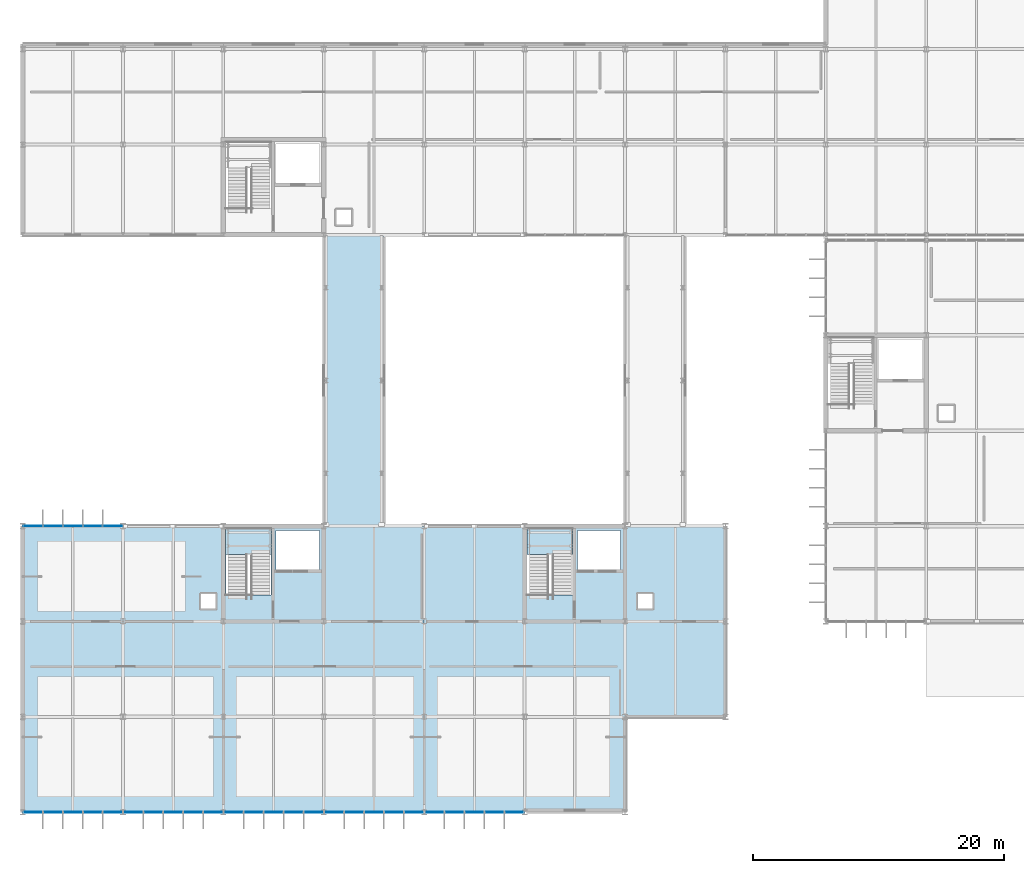
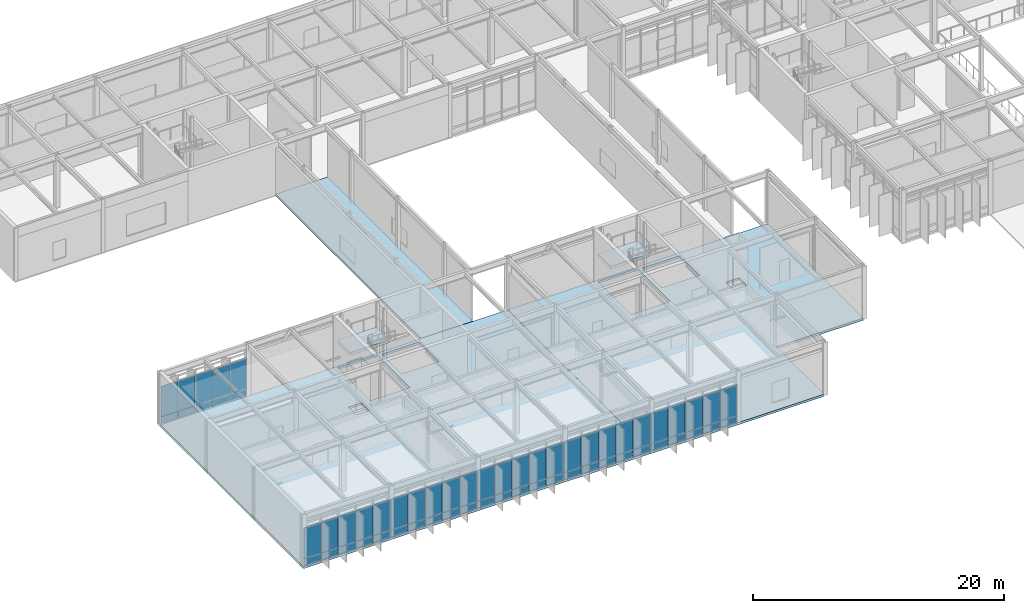
# One storey, part 61 of 94: 60 plates, 5 slabs, 8 elements without a shape of their own.
"""IFC4 building model written with IfcOpenShell, lengths in metres."""

from ifc_helpers import new_model, si_unit, direction, frame, origin, origin_2d, place, context, subcontext, project, spatial, polyline, rectangle, outline, extrude, material, layer, layer_set, type_object, element, aggregate, save


model = new_model("IFC4")

# Units and contexts
model_context = context("Model", 3, precision=1e-05, world=origin(), true_north=direction((0.0, 1.0)))
body_context = subcontext(model_context, "Body", "Model", "MODEL_VIEW")
ifc_project = project(units=[si_unit("LENGTHUNIT", "METRE"), si_unit("AREAUNIT", "SQUARE_METRE"), si_unit("VOLUMEUNIT", "CUBIC_METRE"), si_unit("PLANEANGLEUNIT", "RADIAN"), si_unit("MASSUNIT", "GRAM", prefix="KILO")], contexts=[model_context])

# Site, building, storey
site_placement = place(None, origin())
site = spatial("IfcSite", under=ifc_project, at=site_placement, CompositionType="ELEMENT")
building_placement = place(site_placement, origin())
building = spatial("IfcBuilding", under=site, at=building_placement, Name="Zulena Civic Courthouse", CompositionType="ELEMENT")
storey_placement = place(building_placement, frame((0.0, 0.0, 5.39990234375)))
storey = spatial("IfcBuildingStorey", under=building, at=storey_placement, Name="L01", CompositionType="ELEMENT", Elevation=5.39990234375)

# Slab
ifc_material_1 = material(Name="Concrete C35/45", Category="concrete")
ifc_layer_1 = layer(ifc_material_1, 0.195068359375)
ifc_layer_set_1 = layer_set([ifc_layer_1], Name="Concrete C35/45")
slab_type_1 = type_object("IfcSlabType", Name="BridgeSlab_195", PredefinedType="FLOOR", material=ifc_layer_set_1)
slab_1_placement = place(storey_placement, frame((0.0, 0.0, -0.19482421875)))
element("IfcSlab", 1, at=slab_1_placement, inside=storey, type_object=slab_type_1, Name="slab:bridge:BR-52J:L01", PredefinedType="FLOOR", context=body_context, shape_type="SweptSolid", body=[
    extrude(outline(polyline([(28.0, 22.800048828125), (32.800048828125, 22.800048828125), (32.800048828125, 46.0), (28.0, 46.0), (28.0, 22.800048828125)])), origin(), (0.0, 0.0, 1.0), 0.19482421875),
])

# Curtain wall, plates
ifc_material_2 = material(Name="Double-silver low-E laminated solar-control glass", Category="glass")
curtain_wall_type = type_object("IfcCurtainWallType", Name="CW_7952x4280", PredefinedType="USERDEFINED", material=ifc_material_2)
curtain_wall_1_placement = place(storey_placement, origin())
curtain_wall_1 = element("IfcCurtainWall", 2, at=curtain_wall_1_placement, inside=storey, type_object=curtain_wall_type, Name="cw:V2:L01:1:0", ObjectType="UNITISED CURTAIN WALL", PredefinedType="USERDEFINED")
ifc_material_3 = material(Name="Ceramic-fritted insulated spandrel glass", Category="glass")
ifc_layer_2 = layer(ifc_material_3, 0.0458984375)
ifc_layer_set_2 = layer_set([ifc_layer_2], Name="Ceramic-fritted insulated spandrel glass")
plate_type_1 = type_object("IfcPlateType", Name="CWPanel_Spandrel_46", PredefinedType="CURTAIN_PANEL", material=ifc_layer_set_2)
plate_1_placement = place(storey_placement, frame((4.819091796875, 22.800048828125, 0.070068359375), z_axis=(0.0, 0.0, 1.0), x_axis=(1.0, 0.0, 0.0)))
plate_1 = element("IfcPlate", 3, at=plate_1_placement, type_object=plate_type_1, Name="cw:V2:L01:1:0:panS:0", PredefinedType="CURTAIN_PANEL", context=body_context, shape_type="SweptSolid", body=[
    extrude(rectangle(XDim=1.5400390625, YDim=0.0458984375, at=origin_2d()), origin(), (0.0, 0.0, 1.0), 0.669921875),
])
plate_2_placement = place(storey_placement, frame((6.40966796875, 22.800048828125, 0.070068359375), z_axis=(0.0, 0.0, 1.0), x_axis=(1.0, 0.0, 0.0)))
plate_2 = element("IfcPlate", 4, at=plate_2_placement, type_object=plate_type_1, Name="cw:V2:L01:1:0:panS:1", PredefinedType="CURTAIN_PANEL", context=body_context, shape_type="SweptSolid", body=[
    extrude(rectangle(XDim=1.5400390625, YDim=0.0458984375, at=origin_2d()), origin(), (0.0, 0.0, 1.0), 0.669921875),
])
plate_3_placement = place(storey_placement, frame((8.0, 22.800048828125, 0.070068359375), z_axis=(0.0, 0.0, 1.0), x_axis=(1.0, 0.0, 0.0)))
plate_3 = element("IfcPlate", 5, at=plate_3_placement, type_object=plate_type_1, Name="cw:V2:L01:1:0:panS:2", PredefinedType="CURTAIN_PANEL", context=body_context, shape_type="SweptSolid", body=[
    extrude(rectangle(XDim=1.5400390625, YDim=0.0458984375, at=origin_2d()), origin(), (0.0, 0.0, 1.0), 0.669921875),
])
plate_4_placement = place(storey_placement, frame((9.59033203125, 22.800048828125, 0.070068359375), z_axis=(0.0, 0.0, 1.0), x_axis=(1.0, 0.0, 0.0)))
plate_4 = element("IfcPlate", 6, at=plate_4_placement, type_object=plate_type_1, Name="cw:V2:L01:1:0:panS:3", PredefinedType="CURTAIN_PANEL", context=body_context, shape_type="SweptSolid", body=[
    extrude(rectangle(XDim=1.5400390625, YDim=0.0458984375, at=origin_2d()), origin(), (0.0, 0.0, 1.0), 0.669921875),
])
plate_5_placement = place(storey_placement, frame((11.180908203125, 22.800048828125, 0.070068359375), z_axis=(0.0, 0.0, 1.0), x_axis=(1.0, 0.0, 0.0)))
plate_5 = element("IfcPlate", 7, at=plate_5_placement, type_object=plate_type_1, Name="cw:V2:L01:1:0:panS:4", PredefinedType="CURTAIN_PANEL", context=body_context, shape_type="SweptSolid", body=[
    extrude(rectangle(XDim=1.5400390625, YDim=0.0458984375, at=origin_2d()), origin(), (0.0, 0.0, 1.0), 0.669921875),
])

curtain_wall_2_placement = place(storey_placement, origin())
curtain_wall_2 = element("IfcCurtainWall", 8, at=curtain_wall_2_placement, inside=storey, type_object=curtain_wall_type, Name="cw:V2:L01:5:1", ObjectType="UNITISED CURTAIN WALL", PredefinedType="USERDEFINED")
plate_6_placement = place(storey_placement, frame((43.180908203125, 0.0, 0.070068359375), z_axis=(0.0, 0.0, 1.0), x_axis=(-1.0, 0.0, 0.0)))
plate_6 = element("IfcPlate", 9, at=plate_6_placement, type_object=plate_type_1, Name="cw:V2:L01:5:1:panS:0", PredefinedType="CURTAIN_PANEL", context=body_context, shape_type="SweptSolid", body=[
    extrude(rectangle(XDim=1.5400390625, YDim=0.0458984375, at=origin_2d()), origin(), (0.0, 0.0, 1.0), 0.669921875),
])
plate_7_placement = place(storey_placement, frame((41.59033203125, 0.0, 0.070068359375), z_axis=(0.0, 0.0, 1.0), x_axis=(-1.0, 0.0, 0.0)))
plate_7 = element("IfcPlate", 10, at=plate_7_placement, type_object=plate_type_1, Name="cw:V2:L01:5:1:panS:1", PredefinedType="CURTAIN_PANEL", context=body_context, shape_type="SweptSolid", body=[
    extrude(rectangle(XDim=1.5400390625, YDim=0.0458984375, at=origin_2d()), origin(), (0.0, 0.0, 1.0), 0.669921875),
])
plate_8_placement = place(storey_placement, frame((40.0, 0.0, 0.070068359375), z_axis=(0.0, 0.0, 1.0), x_axis=(-1.0, 0.0, 0.0)))
plate_8 = element("IfcPlate", 11, at=plate_8_placement, type_object=plate_type_1, Name="cw:V2:L01:5:1:panS:2", PredefinedType="CURTAIN_PANEL", context=body_context, shape_type="SweptSolid", body=[
    extrude(rectangle(XDim=1.5400390625, YDim=0.0458984375, at=origin_2d()), origin(), (0.0, 0.0, 1.0), 0.669921875),
])
plate_9_placement = place(storey_placement, frame((38.40966796875, 0.0, 0.070068359375), z_axis=(0.0, 0.0, 1.0), x_axis=(-1.0, 0.0, 0.0)))
plate_9 = element("IfcPlate", 12, at=plate_9_placement, type_object=plate_type_1, Name="cw:V2:L01:5:1:panS:3", PredefinedType="CURTAIN_PANEL", context=body_context, shape_type="SweptSolid", body=[
    extrude(rectangle(XDim=1.5400390625, YDim=0.0458984375, at=origin_2d()), origin(), (0.0, 0.0, 1.0), 0.669921875),
])
plate_10_placement = place(storey_placement, frame((36.819091796875, 0.0, 0.070068359375), z_axis=(0.0, 0.0, 1.0), x_axis=(-1.0, 0.0, 0.0)))
plate_10 = element("IfcPlate", 13, at=plate_10_placement, type_object=plate_type_1, Name="cw:V2:L01:5:1:panS:4", PredefinedType="CURTAIN_PANEL", context=body_context, shape_type="SweptSolid", body=[
    extrude(rectangle(XDim=1.5400390625, YDim=0.0458984375, at=origin_2d()), origin(), (0.0, 0.0, 1.0), 0.669921875),
])

curtain_wall_3_placement = place(storey_placement, origin())
curtain_wall_3 = element("IfcCurtainWall", 14, at=curtain_wall_3_placement, inside=storey, type_object=curtain_wall_type, Name="cw:V2:L01:5:2", ObjectType="UNITISED CURTAIN WALL", PredefinedType="USERDEFINED")
plate_11_placement = place(storey_placement, frame((35.180908203125, 0.0, 0.070068359375), z_axis=(0.0, 0.0, 1.0), x_axis=(-1.0, 0.0, 0.0)))
plate_11 = element("IfcPlate", 15, at=plate_11_placement, type_object=plate_type_1, Name="cw:V2:L01:5:2:panS:0", PredefinedType="CURTAIN_PANEL", context=body_context, shape_type="SweptSolid", body=[
    extrude(rectangle(XDim=1.5400390625, YDim=0.0458984375, at=origin_2d()), origin(), (0.0, 0.0, 1.0), 0.669921875),
])
plate_12_placement = place(storey_placement, frame((33.59033203125, 0.0, 0.070068359375), z_axis=(0.0, 0.0, 1.0), x_axis=(-1.0, 0.0, 0.0)))
plate_12 = element("IfcPlate", 16, at=plate_12_placement, type_object=plate_type_1, Name="cw:V2:L01:5:2:panS:1", PredefinedType="CURTAIN_PANEL", context=body_context, shape_type="SweptSolid", body=[
    extrude(rectangle(XDim=1.5400390625, YDim=0.0458984375, at=origin_2d()), origin(), (0.0, 0.0, 1.0), 0.669921875),
])
plate_13_placement = place(storey_placement, frame((32.0, 0.0, 0.070068359375), z_axis=(0.0, 0.0, 1.0), x_axis=(-1.0, 0.0, 0.0)))
plate_13 = element("IfcPlate", 17, at=plate_13_placement, type_object=plate_type_1, Name="cw:V2:L01:5:2:panS:2", PredefinedType="CURTAIN_PANEL", context=body_context, shape_type="SweptSolid", body=[
    extrude(rectangle(XDim=1.5400390625, YDim=0.0458984375, at=origin_2d()), origin(), (0.0, 0.0, 1.0), 0.669921875),
])
plate_14_placement = place(storey_placement, frame((30.40966796875, 0.0, 0.070068359375), z_axis=(0.0, 0.0, 1.0), x_axis=(-1.0, 0.0, 0.0)))
plate_14 = element("IfcPlate", 18, at=plate_14_placement, type_object=plate_type_1, Name="cw:V2:L01:5:2:panS:3", PredefinedType="CURTAIN_PANEL", context=body_context, shape_type="SweptSolid", body=[
    extrude(rectangle(XDim=1.5400390625, YDim=0.0458984375, at=origin_2d()), origin(), (0.0, 0.0, 1.0), 0.669921875),
])
plate_15_placement = place(storey_placement, frame((28.819091796875, 0.0, 0.070068359375), z_axis=(0.0, 0.0, 1.0), x_axis=(-1.0, 0.0, 0.0)))
plate_15 = element("IfcPlate", 19, at=plate_15_placement, type_object=plate_type_1, Name="cw:V2:L01:5:2:panS:4", PredefinedType="CURTAIN_PANEL", context=body_context, shape_type="SweptSolid", body=[
    extrude(rectangle(XDim=1.5400390625, YDim=0.0458984375, at=origin_2d()), origin(), (0.0, 0.0, 1.0), 0.669921875),
])

curtain_wall_4_placement = place(storey_placement, origin())
curtain_wall_4 = element("IfcCurtainWall", 20, at=curtain_wall_4_placement, inside=storey, type_object=curtain_wall_type, Name="cw:V2:L01:5:3", ObjectType="UNITISED CURTAIN WALL", PredefinedType="USERDEFINED")
plate_16_placement = place(storey_placement, frame((27.180908203125, 0.0, 0.070068359375), z_axis=(0.0, 0.0, 1.0), x_axis=(-1.0, 0.0, 0.0)))
plate_16 = element("IfcPlate", 21, at=plate_16_placement, type_object=plate_type_1, Name="cw:V2:L01:5:3:panS:0", PredefinedType="CURTAIN_PANEL", context=body_context, shape_type="SweptSolid", body=[
    extrude(rectangle(XDim=1.5400390625, YDim=0.0458984375, at=origin_2d()), origin(), (0.0, 0.0, 1.0), 0.669921875),
])
plate_17_placement = place(storey_placement, frame((25.59033203125, 0.0, 0.070068359375), z_axis=(0.0, 0.0, 1.0), x_axis=(-1.0, 0.0, 0.0)))
plate_17 = element("IfcPlate", 22, at=plate_17_placement, type_object=plate_type_1, Name="cw:V2:L01:5:3:panS:1", PredefinedType="CURTAIN_PANEL", context=body_context, shape_type="SweptSolid", body=[
    extrude(rectangle(XDim=1.5400390625, YDim=0.0458984375, at=origin_2d()), origin(), (0.0, 0.0, 1.0), 0.669921875),
])
plate_18_placement = place(storey_placement, frame((24.0, 0.0, 0.070068359375), z_axis=(0.0, 0.0, 1.0), x_axis=(-1.0, 0.0, 0.0)))
plate_18 = element("IfcPlate", 23, at=plate_18_placement, type_object=plate_type_1, Name="cw:V2:L01:5:3:panS:2", PredefinedType="CURTAIN_PANEL", context=body_context, shape_type="SweptSolid", body=[
    extrude(rectangle(XDim=1.5400390625, YDim=0.0458984375, at=origin_2d()), origin(), (0.0, 0.0, 1.0), 0.669921875),
])
plate_19_placement = place(storey_placement, frame((22.40966796875, 0.0, 0.070068359375), z_axis=(0.0, 0.0, 1.0), x_axis=(-1.0, 0.0, 0.0)))
plate_19 = element("IfcPlate", 24, at=plate_19_placement, type_object=plate_type_1, Name="cw:V2:L01:5:3:panS:3", PredefinedType="CURTAIN_PANEL", context=body_context, shape_type="SweptSolid", body=[
    extrude(rectangle(XDim=1.5400390625, YDim=0.0458984375, at=origin_2d()), origin(), (0.0, 0.0, 1.0), 0.669921875),
])
plate_20_placement = place(storey_placement, frame((20.819091796875, 0.0, 0.070068359375), z_axis=(0.0, 0.0, 1.0), x_axis=(-1.0, 0.0, 0.0)))
plate_20 = element("IfcPlate", 25, at=plate_20_placement, type_object=plate_type_1, Name="cw:V2:L01:5:3:panS:4", PredefinedType="CURTAIN_PANEL", context=body_context, shape_type="SweptSolid", body=[
    extrude(rectangle(XDim=1.5400390625, YDim=0.0458984375, at=origin_2d()), origin(), (0.0, 0.0, 1.0), 0.669921875),
])

curtain_wall_5_placement = place(storey_placement, origin())
curtain_wall_5 = element("IfcCurtainWall", 26, at=curtain_wall_5_placement, inside=storey, type_object=curtain_wall_type, Name="cw:V2:L01:5:4", ObjectType="UNITISED CURTAIN WALL", PredefinedType="USERDEFINED")
plate_21_placement = place(storey_placement, frame((19.180908203125, 0.0, 0.070068359375), z_axis=(0.0, 0.0, 1.0), x_axis=(-1.0, 0.0, 0.0)))
plate_21 = element("IfcPlate", 27, at=plate_21_placement, type_object=plate_type_1, Name="cw:V2:L01:5:4:panS:0", PredefinedType="CURTAIN_PANEL", context=body_context, shape_type="SweptSolid", body=[
    extrude(rectangle(XDim=1.5400390625, YDim=0.0458984375, at=origin_2d()), origin(), (0.0, 0.0, 1.0), 0.669921875),
])
plate_22_placement = place(storey_placement, frame((17.59033203125, 0.0, 0.070068359375), z_axis=(0.0, 0.0, 1.0), x_axis=(-1.0, 0.0, 0.0)))
plate_22 = element("IfcPlate", 28, at=plate_22_placement, type_object=plate_type_1, Name="cw:V2:L01:5:4:panS:1", PredefinedType="CURTAIN_PANEL", context=body_context, shape_type="SweptSolid", body=[
    extrude(rectangle(XDim=1.5400390625, YDim=0.0458984375, at=origin_2d()), origin(), (0.0, 0.0, 1.0), 0.669921875),
])
plate_23_placement = place(storey_placement, frame((16.0, 0.0, 0.070068359375), z_axis=(0.0, 0.0, 1.0), x_axis=(-1.0, 0.0, 0.0)))
plate_23 = element("IfcPlate", 29, at=plate_23_placement, type_object=plate_type_1, Name="cw:V2:L01:5:4:panS:2", PredefinedType="CURTAIN_PANEL", context=body_context, shape_type="SweptSolid", body=[
    extrude(rectangle(XDim=1.5400390625, YDim=0.0458984375, at=origin_2d()), origin(), (0.0, 0.0, 1.0), 0.669921875),
])
plate_24_placement = place(storey_placement, frame((14.40966796875, 0.0, 0.070068359375), z_axis=(0.0, 0.0, 1.0), x_axis=(-1.0, 0.0, 0.0)))
plate_24 = element("IfcPlate", 30, at=plate_24_placement, type_object=plate_type_1, Name="cw:V2:L01:5:4:panS:3", PredefinedType="CURTAIN_PANEL", context=body_context, shape_type="SweptSolid", body=[
    extrude(rectangle(XDim=1.5400390625, YDim=0.0458984375, at=origin_2d()), origin(), (0.0, 0.0, 1.0), 0.669921875),
])
plate_25_placement = place(storey_placement, frame((12.819091796875, 0.0, 0.070068359375), z_axis=(0.0, 0.0, 1.0), x_axis=(-1.0, 0.0, 0.0)))
plate_25 = element("IfcPlate", 31, at=plate_25_placement, type_object=plate_type_1, Name="cw:V2:L01:5:4:panS:4", PredefinedType="CURTAIN_PANEL", context=body_context, shape_type="SweptSolid", body=[
    extrude(rectangle(XDim=1.5400390625, YDim=0.0458984375, at=origin_2d()), origin(), (0.0, 0.0, 1.0), 0.669921875),
])

curtain_wall_6_placement = place(storey_placement, origin())
curtain_wall_6 = element("IfcCurtainWall", 32, at=curtain_wall_6_placement, inside=storey, type_object=curtain_wall_type, Name="cw:V2:L01:5:5", ObjectType="UNITISED CURTAIN WALL", PredefinedType="USERDEFINED")
plate_26_placement = place(storey_placement, frame((11.180908203125, 0.0, 0.070068359375), z_axis=(0.0, 0.0, 1.0), x_axis=(-1.0, 0.0, 0.0)))
plate_26 = element("IfcPlate", 33, at=plate_26_placement, type_object=plate_type_1, Name="cw:V2:L01:5:5:panS:0", PredefinedType="CURTAIN_PANEL", context=body_context, shape_type="SweptSolid", body=[
    extrude(rectangle(XDim=1.5400390625, YDim=0.0458984375, at=origin_2d()), origin(), (0.0, 0.0, 1.0), 0.669921875),
])
plate_27_placement = place(storey_placement, frame((9.59033203125, 0.0, 0.070068359375), z_axis=(0.0, 0.0, 1.0), x_axis=(-1.0, 0.0, 0.0)))
plate_27 = element("IfcPlate", 34, at=plate_27_placement, type_object=plate_type_1, Name="cw:V2:L01:5:5:panS:1", PredefinedType="CURTAIN_PANEL", context=body_context, shape_type="SweptSolid", body=[
    extrude(rectangle(XDim=1.5400390625, YDim=0.0458984375, at=origin_2d()), origin(), (0.0, 0.0, 1.0), 0.669921875),
])
plate_28_placement = place(storey_placement, frame((8.0, 0.0, 0.070068359375), z_axis=(0.0, 0.0, 1.0), x_axis=(-1.0, 0.0, 0.0)))
plate_28 = element("IfcPlate", 35, at=plate_28_placement, type_object=plate_type_1, Name="cw:V2:L01:5:5:panS:2", PredefinedType="CURTAIN_PANEL", context=body_context, shape_type="SweptSolid", body=[
    extrude(rectangle(XDim=1.5400390625, YDim=0.0458984375, at=origin_2d()), origin(), (0.0, 0.0, 1.0), 0.669921875),
])
plate_29_placement = place(storey_placement, frame((6.40966796875, 0.0, 0.070068359375), z_axis=(0.0, 0.0, 1.0), x_axis=(-1.0, 0.0, 0.0)))
plate_29 = element("IfcPlate", 36, at=plate_29_placement, type_object=plate_type_1, Name="cw:V2:L01:5:5:panS:3", PredefinedType="CURTAIN_PANEL", context=body_context, shape_type="SweptSolid", body=[
    extrude(rectangle(XDim=1.5400390625, YDim=0.0458984375, at=origin_2d()), origin(), (0.0, 0.0, 1.0), 0.669921875),
])
plate_30_placement = place(storey_placement, frame((4.819091796875, 0.0, 0.070068359375), z_axis=(0.0, 0.0, 1.0), x_axis=(-1.0, 0.0, 0.0)))
plate_30 = element("IfcPlate", 37, at=plate_30_placement, type_object=plate_type_1, Name="cw:V2:L01:5:5:panS:4", PredefinedType="CURTAIN_PANEL", context=body_context, shape_type="SweptSolid", body=[
    extrude(rectangle(XDim=1.5400390625, YDim=0.0458984375, at=origin_2d()), origin(), (0.0, 0.0, 1.0), 0.669921875),
])

# Plate
ifc_layer_3 = layer(ifc_material_2, 0.035888671875)
ifc_layer_set_3 = layer_set([ifc_layer_3], Name="Double-silver low-E laminated solar-control glass")
plate_type_2 = type_object("IfcPlateType", Name="CWPanel_Vision_36", PredefinedType="CURTAIN_PANEL", material=ifc_layer_set_3)
plate_31_placement = place(storey_placement, frame((4.819091796875, 22.800048828125, 0.760009765625), z_axis=(0.0, 0.0, 1.0), x_axis=(1.0, 0.0, 0.0)))
plate_31 = element("IfcPlate", 38, at=plate_31_placement, type_object=plate_type_2, Name="cw:V2:L01:1:0:panV:0", PredefinedType="CURTAIN_PANEL", context=body_context, shape_type="SweptSolid", body=[
    extrude(rectangle(XDim=1.5400390625, YDim=0.035888671875, at=origin_2d()), origin(), (0.0, 0.0, 1.0), 2.9599609375),
])

plate_32_placement = place(storey_placement, frame((6.40966796875, 22.800048828125, 0.760009765625), z_axis=(0.0, 0.0, 1.0), x_axis=(1.0, 0.0, 0.0)))
plate_32 = element("IfcPlate", 39, at=plate_32_placement, type_object=plate_type_2, Name="cw:V2:L01:1:0:panV:1", PredefinedType="CURTAIN_PANEL", context=body_context, shape_type="SweptSolid", body=[
    extrude(rectangle(XDim=1.5400390625, YDim=0.035888671875, at=origin_2d()), origin(), (0.0, 0.0, 1.0), 2.9599609375),
])

plate_33_placement = place(storey_placement, frame((8.0, 22.800048828125, 0.760009765625), z_axis=(0.0, 0.0, 1.0), x_axis=(1.0, 0.0, 0.0)))
plate_33 = element("IfcPlate", 40, at=plate_33_placement, type_object=plate_type_2, Name="cw:V2:L01:1:0:panV:2", PredefinedType="CURTAIN_PANEL", context=body_context, shape_type="SweptSolid", body=[
    extrude(rectangle(XDim=1.5400390625, YDim=0.035888671875, at=origin_2d()), origin(), (0.0, 0.0, 1.0), 2.9599609375),
])

plate_34_placement = place(storey_placement, frame((9.59033203125, 22.800048828125, 0.760009765625), z_axis=(0.0, 0.0, 1.0), x_axis=(1.0, 0.0, 0.0)))
plate_34 = element("IfcPlate", 41, at=plate_34_placement, type_object=plate_type_2, Name="cw:V2:L01:1:0:panV:3", PredefinedType="CURTAIN_PANEL", context=body_context, shape_type="SweptSolid", body=[
    extrude(rectangle(XDim=1.5400390625, YDim=0.035888671875, at=origin_2d()), origin(), (0.0, 0.0, 1.0), 2.9599609375),
])

plate_35_placement = place(storey_placement, frame((11.180908203125, 22.800048828125, 0.760009765625), z_axis=(0.0, 0.0, 1.0), x_axis=(1.0, 0.0, 0.0)))
plate_35 = element("IfcPlate", 42, at=plate_35_placement, type_object=plate_type_2, Name="cw:V2:L01:1:0:panV:4", PredefinedType="CURTAIN_PANEL", context=body_context, shape_type="SweptSolid", body=[
    extrude(rectangle(XDim=1.5400390625, YDim=0.035888671875, at=origin_2d()), origin(), (0.0, 0.0, 1.0), 2.9599609375),
])

aggregate(curtain_wall_1, [plate_31, plate_1, plate_32, plate_2, plate_33, plate_3, plate_34, plate_4, plate_35, plate_5])

plate_36_placement = place(storey_placement, frame((43.180908203125, 0.0, 0.760009765625), z_axis=(0.0, 0.0, 1.0), x_axis=(-1.0, 0.0, 0.0)))
plate_36 = element("IfcPlate", 43, at=plate_36_placement, type_object=plate_type_2, Name="cw:V2:L01:5:1:panV:0", PredefinedType="CURTAIN_PANEL", context=body_context, shape_type="SweptSolid", body=[
    extrude(rectangle(XDim=1.5400390625, YDim=0.035888671875, at=origin_2d()), origin(), (0.0, 0.0, 1.0), 2.9599609375),
])

plate_37_placement = place(storey_placement, frame((41.59033203125, 0.0, 0.760009765625), z_axis=(0.0, 0.0, 1.0), x_axis=(-1.0, 0.0, 0.0)))
plate_37 = element("IfcPlate", 44, at=plate_37_placement, type_object=plate_type_2, Name="cw:V2:L01:5:1:panV:1", PredefinedType="CURTAIN_PANEL", context=body_context, shape_type="SweptSolid", body=[
    extrude(rectangle(XDim=1.5400390625, YDim=0.035888671875, at=origin_2d()), origin(), (0.0, 0.0, 1.0), 2.9599609375),
])

plate_38_placement = place(storey_placement, frame((40.0, 0.0, 0.760009765625), z_axis=(0.0, 0.0, 1.0), x_axis=(-1.0, 0.0, 0.0)))
plate_38 = element("IfcPlate", 45, at=plate_38_placement, type_object=plate_type_2, Name="cw:V2:L01:5:1:panV:2", PredefinedType="CURTAIN_PANEL", context=body_context, shape_type="SweptSolid", body=[
    extrude(rectangle(XDim=1.5400390625, YDim=0.035888671875, at=origin_2d()), origin(), (0.0, 0.0, 1.0), 2.9599609375),
])

plate_39_placement = place(storey_placement, frame((38.40966796875, 0.0, 0.760009765625), z_axis=(0.0, 0.0, 1.0), x_axis=(-1.0, 0.0, 0.0)))
plate_39 = element("IfcPlate", 46, at=plate_39_placement, type_object=plate_type_2, Name="cw:V2:L01:5:1:panV:3", PredefinedType="CURTAIN_PANEL", context=body_context, shape_type="SweptSolid", body=[
    extrude(rectangle(XDim=1.5400390625, YDim=0.035888671875, at=origin_2d()), origin(), (0.0, 0.0, 1.0), 2.9599609375),
])

plate_40_placement = place(storey_placement, frame((36.819091796875, 0.0, 0.760009765625), z_axis=(0.0, 0.0, 1.0), x_axis=(-1.0, 0.0, 0.0)))
plate_40 = element("IfcPlate", 47, at=plate_40_placement, type_object=plate_type_2, Name="cw:V2:L01:5:1:panV:4", PredefinedType="CURTAIN_PANEL", context=body_context, shape_type="SweptSolid", body=[
    extrude(rectangle(XDim=1.5400390625, YDim=0.035888671875, at=origin_2d()), origin(), (0.0, 0.0, 1.0), 2.9599609375),
])

aggregate(curtain_wall_2, [plate_36, plate_6, plate_37, plate_7, plate_38, plate_8, plate_39, plate_9, plate_40, plate_10])

plate_41_placement = place(storey_placement, frame((35.180908203125, 0.0, 0.760009765625), z_axis=(0.0, 0.0, 1.0), x_axis=(-1.0, 0.0, 0.0)))
plate_41 = element("IfcPlate", 48, at=plate_41_placement, type_object=plate_type_2, Name="cw:V2:L01:5:2:panV:0", PredefinedType="CURTAIN_PANEL", context=body_context, shape_type="SweptSolid", body=[
    extrude(rectangle(XDim=1.5400390625, YDim=0.035888671875, at=origin_2d()), origin(), (0.0, 0.0, 1.0), 2.9599609375),
])

plate_42_placement = place(storey_placement, frame((33.59033203125, 0.0, 0.760009765625), z_axis=(0.0, 0.0, 1.0), x_axis=(-1.0, 0.0, 0.0)))
plate_42 = element("IfcPlate", 49, at=plate_42_placement, type_object=plate_type_2, Name="cw:V2:L01:5:2:panV:1", PredefinedType="CURTAIN_PANEL", context=body_context, shape_type="SweptSolid", body=[
    extrude(rectangle(XDim=1.5400390625, YDim=0.035888671875, at=origin_2d()), origin(), (0.0, 0.0, 1.0), 2.9599609375),
])

plate_43_placement = place(storey_placement, frame((32.0, 0.0, 0.760009765625), z_axis=(0.0, 0.0, 1.0), x_axis=(-1.0, 0.0, 0.0)))
plate_43 = element("IfcPlate", 50, at=plate_43_placement, type_object=plate_type_2, Name="cw:V2:L01:5:2:panV:2", PredefinedType="CURTAIN_PANEL", context=body_context, shape_type="SweptSolid", body=[
    extrude(rectangle(XDim=1.5400390625, YDim=0.035888671875, at=origin_2d()), origin(), (0.0, 0.0, 1.0), 2.9599609375),
])

plate_44_placement = place(storey_placement, frame((30.40966796875, 0.0, 0.760009765625), z_axis=(0.0, 0.0, 1.0), x_axis=(-1.0, 0.0, 0.0)))
plate_44 = element("IfcPlate", 51, at=plate_44_placement, type_object=plate_type_2, Name="cw:V2:L01:5:2:panV:3", PredefinedType="CURTAIN_PANEL", context=body_context, shape_type="SweptSolid", body=[
    extrude(rectangle(XDim=1.5400390625, YDim=0.035888671875, at=origin_2d()), origin(), (0.0, 0.0, 1.0), 2.9599609375),
])

plate_45_placement = place(storey_placement, frame((28.819091796875, 0.0, 0.760009765625), z_axis=(0.0, 0.0, 1.0), x_axis=(-1.0, 0.0, 0.0)))
plate_45 = element("IfcPlate", 52, at=plate_45_placement, type_object=plate_type_2, Name="cw:V2:L01:5:2:panV:4", PredefinedType="CURTAIN_PANEL", context=body_context, shape_type="SweptSolid", body=[
    extrude(rectangle(XDim=1.5400390625, YDim=0.035888671875, at=origin_2d()), origin(), (0.0, 0.0, 1.0), 2.9599609375),
])

aggregate(curtain_wall_3, [plate_41, plate_11, plate_42, plate_12, plate_43, plate_13, plate_44, plate_14, plate_45, plate_15])

plate_46_placement = place(storey_placement, frame((27.180908203125, 0.0, 0.760009765625), z_axis=(0.0, 0.0, 1.0), x_axis=(-1.0, 0.0, 0.0)))
plate_46 = element("IfcPlate", 53, at=plate_46_placement, type_object=plate_type_2, Name="cw:V2:L01:5:3:panV:0", PredefinedType="CURTAIN_PANEL", context=body_context, shape_type="SweptSolid", body=[
    extrude(rectangle(XDim=1.5400390625, YDim=0.035888671875, at=origin_2d()), origin(), (0.0, 0.0, 1.0), 2.9599609375),
])

plate_47_placement = place(storey_placement, frame((25.59033203125, 0.0, 0.760009765625), z_axis=(0.0, 0.0, 1.0), x_axis=(-1.0, 0.0, 0.0)))
plate_47 = element("IfcPlate", 54, at=plate_47_placement, type_object=plate_type_2, Name="cw:V2:L01:5:3:panV:1", PredefinedType="CURTAIN_PANEL", context=body_context, shape_type="SweptSolid", body=[
    extrude(rectangle(XDim=1.5400390625, YDim=0.035888671875, at=origin_2d()), origin(), (0.0, 0.0, 1.0), 2.9599609375),
])

plate_48_placement = place(storey_placement, frame((24.0, 0.0, 0.760009765625), z_axis=(0.0, 0.0, 1.0), x_axis=(-1.0, 0.0, 0.0)))
plate_48 = element("IfcPlate", 55, at=plate_48_placement, type_object=plate_type_2, Name="cw:V2:L01:5:3:panV:2", PredefinedType="CURTAIN_PANEL", context=body_context, shape_type="SweptSolid", body=[
    extrude(rectangle(XDim=1.5400390625, YDim=0.035888671875, at=origin_2d()), origin(), (0.0, 0.0, 1.0), 2.9599609375),
])

plate_49_placement = place(storey_placement, frame((22.40966796875, 0.0, 0.760009765625), z_axis=(0.0, 0.0, 1.0), x_axis=(-1.0, 0.0, 0.0)))
plate_49 = element("IfcPlate", 56, at=plate_49_placement, type_object=plate_type_2, Name="cw:V2:L01:5:3:panV:3", PredefinedType="CURTAIN_PANEL", context=body_context, shape_type="SweptSolid", body=[
    extrude(rectangle(XDim=1.5400390625, YDim=0.035888671875, at=origin_2d()), origin(), (0.0, 0.0, 1.0), 2.9599609375),
])

plate_50_placement = place(storey_placement, frame((20.819091796875, 0.0, 0.760009765625), z_axis=(0.0, 0.0, 1.0), x_axis=(-1.0, 0.0, 0.0)))
plate_50 = element("IfcPlate", 57, at=plate_50_placement, type_object=plate_type_2, Name="cw:V2:L01:5:3:panV:4", PredefinedType="CURTAIN_PANEL", context=body_context, shape_type="SweptSolid", body=[
    extrude(rectangle(XDim=1.5400390625, YDim=0.035888671875, at=origin_2d()), origin(), (0.0, 0.0, 1.0), 2.9599609375),
])

aggregate(curtain_wall_4, [plate_46, plate_16, plate_47, plate_17, plate_48, plate_18, plate_49, plate_19, plate_50, plate_20])

plate_51_placement = place(storey_placement, frame((19.180908203125, 0.0, 0.760009765625), z_axis=(0.0, 0.0, 1.0), x_axis=(-1.0, 0.0, 0.0)))
plate_51 = element("IfcPlate", 58, at=plate_51_placement, type_object=plate_type_2, Name="cw:V2:L01:5:4:panV:0", PredefinedType="CURTAIN_PANEL", context=body_context, shape_type="SweptSolid", body=[
    extrude(rectangle(XDim=1.5400390625, YDim=0.035888671875, at=origin_2d()), origin(), (0.0, 0.0, 1.0), 2.9599609375),
])

plate_52_placement = place(storey_placement, frame((17.59033203125, 0.0, 0.760009765625), z_axis=(0.0, 0.0, 1.0), x_axis=(-1.0, 0.0, 0.0)))
plate_52 = element("IfcPlate", 59, at=plate_52_placement, type_object=plate_type_2, Name="cw:V2:L01:5:4:panV:1", PredefinedType="CURTAIN_PANEL", context=body_context, shape_type="SweptSolid", body=[
    extrude(rectangle(XDim=1.5400390625, YDim=0.035888671875, at=origin_2d()), origin(), (0.0, 0.0, 1.0), 2.9599609375),
])

plate_53_placement = place(storey_placement, frame((16.0, 0.0, 0.760009765625), z_axis=(0.0, 0.0, 1.0), x_axis=(-1.0, 0.0, 0.0)))
plate_53 = element("IfcPlate", 60, at=plate_53_placement, type_object=plate_type_2, Name="cw:V2:L01:5:4:panV:2", PredefinedType="CURTAIN_PANEL", context=body_context, shape_type="SweptSolid", body=[
    extrude(rectangle(XDim=1.5400390625, YDim=0.035888671875, at=origin_2d()), origin(), (0.0, 0.0, 1.0), 2.9599609375),
])

plate_54_placement = place(storey_placement, frame((14.40966796875, 0.0, 0.760009765625), z_axis=(0.0, 0.0, 1.0), x_axis=(-1.0, 0.0, 0.0)))
plate_54 = element("IfcPlate", 61, at=plate_54_placement, type_object=plate_type_2, Name="cw:V2:L01:5:4:panV:3", PredefinedType="CURTAIN_PANEL", context=body_context, shape_type="SweptSolid", body=[
    extrude(rectangle(XDim=1.5400390625, YDim=0.035888671875, at=origin_2d()), origin(), (0.0, 0.0, 1.0), 2.9599609375),
])

plate_55_placement = place(storey_placement, frame((12.819091796875, 0.0, 0.760009765625), z_axis=(0.0, 0.0, 1.0), x_axis=(-1.0, 0.0, 0.0)))
plate_55 = element("IfcPlate", 62, at=plate_55_placement, type_object=plate_type_2, Name="cw:V2:L01:5:4:panV:4", PredefinedType="CURTAIN_PANEL", context=body_context, shape_type="SweptSolid", body=[
    extrude(rectangle(XDim=1.5400390625, YDim=0.035888671875, at=origin_2d()), origin(), (0.0, 0.0, 1.0), 2.9599609375),
])

aggregate(curtain_wall_5, [plate_51, plate_21, plate_52, plate_22, plate_53, plate_23, plate_54, plate_24, plate_55, plate_25])

plate_56_placement = place(storey_placement, frame((11.180908203125, 0.0, 0.760009765625), z_axis=(0.0, 0.0, 1.0), x_axis=(-1.0, 0.0, 0.0)))
plate_56 = element("IfcPlate", 63, at=plate_56_placement, type_object=plate_type_2, Name="cw:V2:L01:5:5:panV:0", PredefinedType="CURTAIN_PANEL", context=body_context, shape_type="SweptSolid", body=[
    extrude(rectangle(XDim=1.5400390625, YDim=0.035888671875, at=origin_2d()), origin(), (0.0, 0.0, 1.0), 2.9599609375),
])

plate_57_placement = place(storey_placement, frame((9.59033203125, 0.0, 0.760009765625), z_axis=(0.0, 0.0, 1.0), x_axis=(-1.0, 0.0, 0.0)))
plate_57 = element("IfcPlate", 64, at=plate_57_placement, type_object=plate_type_2, Name="cw:V2:L01:5:5:panV:1", PredefinedType="CURTAIN_PANEL", context=body_context, shape_type="SweptSolid", body=[
    extrude(rectangle(XDim=1.5400390625, YDim=0.035888671875, at=origin_2d()), origin(), (0.0, 0.0, 1.0), 2.9599609375),
])

plate_58_placement = place(storey_placement, frame((8.0, 0.0, 0.760009765625), z_axis=(0.0, 0.0, 1.0), x_axis=(-1.0, 0.0, 0.0)))
plate_58 = element("IfcPlate", 65, at=plate_58_placement, type_object=plate_type_2, Name="cw:V2:L01:5:5:panV:2", PredefinedType="CURTAIN_PANEL", context=body_context, shape_type="SweptSolid", body=[
    extrude(rectangle(XDim=1.5400390625, YDim=0.035888671875, at=origin_2d()), origin(), (0.0, 0.0, 1.0), 2.9599609375),
])

plate_59_placement = place(storey_placement, frame((6.40966796875, 0.0, 0.760009765625), z_axis=(0.0, 0.0, 1.0), x_axis=(-1.0, 0.0, 0.0)))
plate_59 = element("IfcPlate", 66, at=plate_59_placement, type_object=plate_type_2, Name="cw:V2:L01:5:5:panV:3", PredefinedType="CURTAIN_PANEL", context=body_context, shape_type="SweptSolid", body=[
    extrude(rectangle(XDim=1.5400390625, YDim=0.035888671875, at=origin_2d()), origin(), (0.0, 0.0, 1.0), 2.9599609375),
])

plate_60_placement = place(storey_placement, frame((4.819091796875, 0.0, 0.760009765625), z_axis=(0.0, 0.0, 1.0), x_axis=(-1.0, 0.0, 0.0)))
plate_60 = element("IfcPlate", 67, at=plate_60_placement, type_object=plate_type_2, Name="cw:V2:L01:5:5:panV:4", PredefinedType="CURTAIN_PANEL", context=body_context, shape_type="SweptSolid", body=[
    extrude(rectangle(XDim=1.5400390625, YDim=0.035888671875, at=origin_2d()), origin(), (0.0, 0.0, 1.0), 2.9599609375),
])

aggregate(curtain_wall_6, [plate_56, plate_26, plate_57, plate_27, plate_58, plate_28, plate_59, plate_29, plate_60, plate_30])

# Slabs
ifc_layer_4 = layer(ifc_material_1, 0.215087890625)
ifc_layer_set_4 = layer_set([ifc_layer_4], Name="Concrete C35/45")
slab_type_2 = type_object("IfcSlabType", Name="FloorSlab_215", PredefinedType="FLOOR", material=ifc_layer_set_4)
slab_2_placement = place(storey_placement, frame((0.0, 0.0, -0.21484375)))
element("IfcSlab", 68, at=slab_2_placement, inside=storey, type_object=slab_type_2, Name="slab:V2:L01_1", PredefinedType="FLOOR", context=body_context, shape_type="SweptSolid", body=[
    extrude(outline(polyline([(4.0, 22.800048828125), (36.0, 22.800048828125), (36.0, 0.0), (4.0, 0.0), (4.0, 22.800048828125)]), holes=[polyline([(20.18994140625, 22.610107421875), (20.18994140625, 17.320068359375), (23.81005859375, 17.320068359375), (23.81005859375, 22.610107421875), (20.18994140625, 22.610107421875)]), polyline([(27.64990234375, 22.449951171875), (24.199951171875, 22.449951171875), (24.199951171875, 19.300048828125), (27.64990234375, 19.300048828125), (27.64990234375, 22.449951171875)]), polyline([(18.199951171875, 17.39990234375), (18.199951171875, 16.199951171875), (19.39990234375, 16.199951171875), (19.39990234375, 17.39990234375), (18.199951171875, 17.39990234375)])]), origin(), (0.0, 0.0, 1.0), 0.21484375),
])
slab_3_placement = place(storey_placement, frame((0.0, 0.0, -0.21484375)))
element("IfcSlab", 69, at=slab_3_placement, inside=storey, type_object=slab_type_2, Name="slab:V2:L01_2", PredefinedType="FLOOR", context=body_context, shape_type="SweptSolid", body=[
    extrude(outline(polyline([(60.0, 22.800048828125), (60.0, 7.60009765625), (52.0, 7.60009765625), (52.0, 0.0), (36.0, 0.0), (36.0, 22.800048828125), (60.0, 22.800048828125)]), holes=[polyline([(47.81005859375, 17.320068359375), (47.81005859375, 22.610107421875), (44.18994140625, 22.610107421875), (44.18994140625, 17.320068359375), (47.81005859375, 17.320068359375)]), polyline([(48.199951171875, 19.300048828125), (51.64990234375, 19.300048828125), (51.64990234375, 22.449951171875), (48.199951171875, 22.449951171875), (48.199951171875, 19.300048828125)]), polyline([(54.199951171875, 17.39990234375), (53.0, 17.39990234375), (53.0, 16.199951171875), (54.199951171875, 16.199951171875), (54.199951171875, 17.39990234375)])]), origin(), (0.0, 0.0, 1.0), 0.21484375),
])

# Stair, slab
ifc_material_4 = material(Name="Precast concrete C40/50", Category="concrete")
stair_type = type_object("IfcStairType", Name="HalfTurnStair_5400", PredefinedType="HALF_TURN_STAIR", material=ifc_material_4)
stair_1_placement = place(storey_placement, origin())
stair_1 = element("IfcStair", 70, at=stair_1_placement, inside=storey, type_object=stair_type, Name="stair:K2A:L01", PredefinedType="HALF_TURN_STAIR")
ifc_layer_5 = layer(ifc_material_4, 0.280029296875)
ifc_layer_set_5 = layer_set([ifc_layer_5], Name="Precast concrete C40/50")
slab_type_3 = type_object("IfcSlabType", Name="StairLandingSlab_280", PredefinedType="LANDING", material=ifc_layer_set_5)
slab_4_placement = place(storey_placement, frame((0.0, 0.0, 2.420166015625)))
slab_4 = element("IfcSlab", 71, at=slab_4_placement, type_object=slab_type_3, Name="stair:K2A:L01:LND", PredefinedType="LANDING", context=body_context, shape_type="SweptSolid", body=[
    extrude(outline(polyline([(20.179931640625, 20.549560546875), (23.820068359375, 20.549560546875), (23.820068359375, 22.6201171875), (20.179931640625, 22.6201171875), (20.179931640625, 20.549560546875)])), origin(), (0.0, 0.0, 1.0), 0.280029296875),
])
aggregate(stair_1, [slab_4])

stair_2_placement = place(storey_placement, origin())
stair_2 = element("IfcStair", 72, at=stair_2_placement, inside=storey, type_object=stair_type, Name="stair:K2B:L01", PredefinedType="HALF_TURN_STAIR")
slab_5_placement = place(storey_placement, frame((0.0, 0.0, 2.420166015625)))
slab_5 = element("IfcSlab", 73, at=slab_5_placement, type_object=slab_type_3, Name="stair:K2B:L01:LND", PredefinedType="LANDING", context=body_context, shape_type="SweptSolid", body=[
    extrude(outline(polyline([(44.179931640625, 20.549560546875), (47.820068359375, 20.549560546875), (47.820068359375, 22.6201171875), (44.179931640625, 22.6201171875), (44.179931640625, 20.549560546875)])), origin(), (0.0, 0.0, 1.0), 0.280029296875),
])
aggregate(stair_2, [slab_5])

save(model, "model.ifc")
